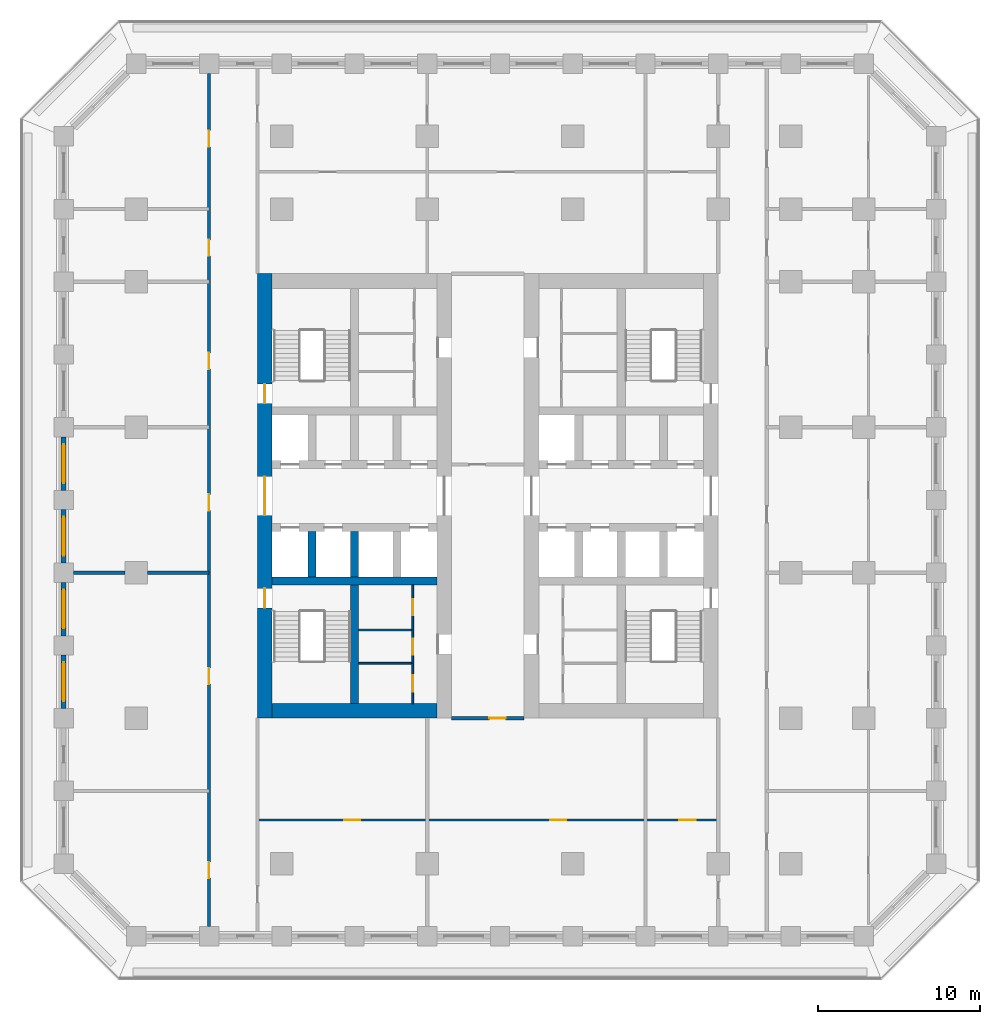
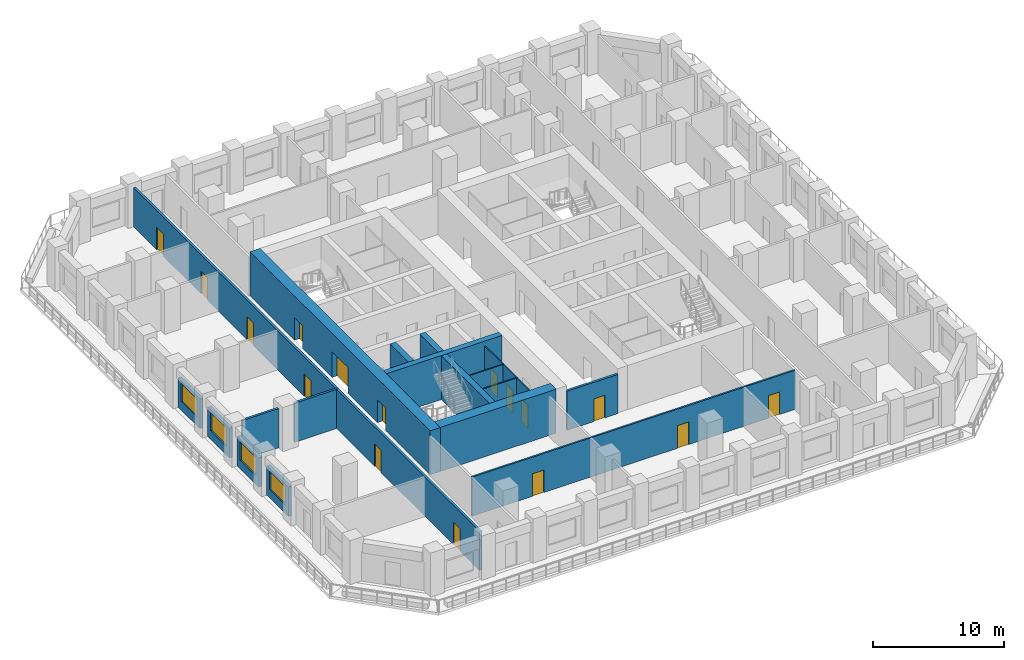
# One storey, part 3 of 17: 20 walls, 16 doors, 4 windows, 20 openings.
"""IFC4 building model written with IfcOpenShell, lengths in metres."""

from ifc_helpers import new_model, si_unit, direction, frame, frame_2d, origin, place, context, subcontext, project, spatial, rectangle, extrude, material, layer, layer_set, type_object, element, fill, save


model = new_model("IFC4")

# Units and contexts
model_context = context("Model", 3, precision=1e-05, world=origin(), true_north=direction((0.0, 1.0)))
body_context = subcontext(model_context, "Body", "Model", "MODEL_VIEW")
ifc_project = project(units=[si_unit("LENGTHUNIT", "METRE"), si_unit("AREAUNIT", "SQUARE_METRE"), si_unit("VOLUMEUNIT", "CUBIC_METRE"), si_unit("PLANEANGLEUNIT", "RADIAN"), si_unit("MASSUNIT", "GRAM", prefix="KILO")], contexts=[model_context])

# Site, building, storey
site_placement = place(None, origin())
site = spatial("IfcSite", under=ifc_project, at=site_placement, CompositionType="ELEMENT")
building_placement = place(site_placement, origin())
building = spatial("IfcBuilding", under=site, at=building_placement, Name="Corbel Stack Research Tower", CompositionType="ELEMENT")
storey_placement = place(building_placement, frame((0.0, 0.0, 94.300048828125)))
storey = spatial("IfcBuildingStorey", under=building, at=storey_placement, Name="L21", CompositionType="ELEMENT", Elevation=94.300048828125)

# Walls
ifc_material_1 = material(Name="Concrete C70/85", Category="concrete")
ifc_layer_1 = layer(ifc_material_1, 0.5)
ifc_layer_set_1 = layer_set([ifc_layer_1], Name="Concrete C70/85")
wall_type_1 = type_object("IfcWallType", Name="CW-500-70", PredefinedType="SHEAR", material=ifc_layer_set_1)
wall_1_placement = place(storey_placement, frame((-9.60009765625, -0.5, 0.0), z_axis=(0.0, 0.0, 1.0), x_axis=(1.0, 0.0, 0.0)))
element("IfcWall", 1, at=wall_1_placement, inside=storey, type_object=wall_type_1, Name="West core wall, south row back L21", PredefinedType="SHEAR", context=body_context, shape_type="SweptSolid", body=[
    extrude(rectangle(XDim=10.2001953125, YDim=0.5, at=frame_2d((5.10009765625, 0.0))), origin(), (0.0, 0.0, 1.0), 4.099853515625),
])
for number, where, z_axis, x_axis, name in (
    (2, (-7.125, -0.25, 0.0), (0.0, 0.0, 1.0), (0.0, 1.0, 0.0), "West core wall, south shaft 1 L21"),
    (3, (-4.5, -0.25, 0.0), (0.0, 0.0, 1.0), (0.0, 1.0, 0.0), "West core wall, south shaft 2 L21"),
):
    element("IfcWall", number, at=place(storey_placement, frame(where, z_axis=z_axis, x_axis=x_axis)), inside=storey, type_object=wall_type_1, Name=name, PredefinedType="SHEAR", context=body_context, shape_type="SweptSolid", body=[
        extrude(rectangle(XDim=2.800048828125, YDim=0.5, at=frame_2d((1.39990234375, 0.0))), origin(), (0.0, 0.0, 1.0), 4.099853515625),
    ])
wall_2_placement = place(storey_placement, frame((-4.5, -8.10009765625, 0.0), z_axis=(0.0, 0.0, 1.0), x_axis=(0.0, 1.0, 0.0)))
element("IfcWall", 4, at=wall_2_placement, inside=storey, type_object=wall_type_1, Name="West core wall, south stair and WC L21", PredefinedType="SHEAR", context=body_context, shape_type="SweptSolid", body=[
    extrude(rectangle(XDim=7.35009765625, YDim=0.5, at=frame_2d((3.675048828125, 0.0))), origin(), (0.0, 0.0, 1.0), 4.099853515625),
])

# Wall, openings, doors
ifc_material_2 = material(Name="Concrete C70/85", Category="concrete")
ifc_layer_2 = layer(ifc_material_2, 0.89990234375)
ifc_layer_set_2 = layer_set([ifc_layer_2], Name="Concrete C70/85")
wall_type_2 = type_object("IfcWallType", Name="CW-900-70", PredefinedType="SHEAR", material=ifc_layer_set_2)
wall_3_placement = place(storey_placement, frame((-10.050048828125, -9.0, 0.0), z_axis=(0.0, 0.0, 1.0), x_axis=(0.0, 1.0, 0.0)))
wall_3 = element("IfcWall", 5, at=wall_3_placement, inside=storey, type_object=wall_type_2, Name="West core wall, west face L21", PredefinedType="SHEAR", context=body_context, shape_type="SweptSolid", body=[
    extrude(rectangle(XDim=27.5, YDim=0.89990234375, at=frame_2d((13.75, 0.0))), origin(), (0.0, 0.0, 1.0), 4.099853515625),
])
opening_1_placement = place(wall_3_placement, frame((12.550048828125, 0.0, 0.0)))
opening_1 = element("IfcOpeningElement", 6, at=opening_1_placement, cuts=wall_3, Name="Opening CD-W-W", PredefinedType="OPENING", context=body_context, shape_type="SweptSolid", body=[
    extrude(rectangle(XDim=2.39990234375, YDim=2.39990234375, at=frame_2d((1.199951171875, 1.199951171875))), frame((0.0, 0.4599609375, 0.0), z_axis=(0.0, -1.0, 0.0), x_axis=(1.0, 0.0, 0.0)), (0.0, 0.0, 1.0), 0.919921875),
])
opening_2_placement = place(wall_3_placement, frame((6.824951171875, 0.0, 0.0)))
opening_2 = element("IfcOpeningElement", 7, at=opening_2_placement, cuts=wall_3, Name="Opening SD-ST-W1", PredefinedType="OPENING", context=body_context, shape_type="SweptSolid", body=[
    extrude(rectangle(XDim=1.199951171875, YDim=2.10009765625, at=frame_2d((0.60009765625, 1.050048828125))), frame((0.0, 0.4599609375, 0.0), z_axis=(0.0, -1.0, 0.0), x_axis=(1.0, 0.0, 0.0)), (0.0, 0.0, 1.0), 0.919921875),
])
opening_3_placement = place(wall_3_placement, frame((19.47509765625, 0.0, 0.0)))
opening_3 = element("IfcOpeningElement", 8, at=opening_3_placement, cuts=wall_3, Name="Opening SD-ST-W2", PredefinedType="OPENING", context=body_context, shape_type="SweptSolid", body=[
    extrude(rectangle(XDim=1.199951171875, YDim=2.10009765625, at=frame_2d((0.60009765625, 1.050048828125))), frame((0.0, 0.4599609375, 0.0), z_axis=(0.0, -1.0, 0.0), x_axis=(1.0, 0.0, 0.0)), (0.0, 0.0, 1.0), 0.919921875),
])
ifc_material_3 = material(Name="Painted steel fire door", Category="steel")
door_type_1 = type_object("IfcDoorType", Name="Lobby door pair 2400 x 2400 FD30S", OperationType="DOUBLE_DOOR_DOUBLE_SWING", PredefinedType="DOOR", material=ifc_material_3)
door_1_placement = place(opening_1_placement, origin())
door_1 = element("IfcDoor", 9, at=door_1_placement, inside=storey, type_object=door_type_1, Name="Lift lobby door W core W", OperationType="DOUBLE_DOOR_DOUBLE_SWING", OverallHeight=2.39990234375, OverallWidth=2.39990234375, PredefinedType="DOOR", context=body_context, shape_type="SweptSolid", body=[
    extrude(rectangle(XDim=2.39990234375, YDim=2.39990234375, at=frame_2d((1.199951171875, 1.199951171875))), frame((0.0, 0.02490234375, 0.0), z_axis=(0.0, -1.0, 0.0), x_axis=(1.0, 0.0, 0.0)), (0.0, 0.0, 1.0), 0.050048828125),
])
fill(opening_1, door_1)
ifc_material_4 = material(Name="Painted steel fire door", Category="steel")
door_type_2 = type_object("IfcDoorType", Name="Stair door 1200 x 2100 FD90 left hand", OperationType="SINGLE_SWING_LEFT", PredefinedType="DOOR", material=ifc_material_4)
door_2_placement = place(opening_2_placement, origin())
door_2 = element("IfcDoor", 10, at=door_2_placement, inside=storey, type_object=door_type_2, Name="Stair door ST-W1", OperationType="SINGLE_SWING_LEFT", OverallHeight=2.10009765625, OverallWidth=1.199951171875, PredefinedType="DOOR", context=body_context, shape_type="SweptSolid", body=[
    extrude(rectangle(XDim=1.199951171875, YDim=2.10009765625, at=frame_2d((0.60009765625, 1.050048828125))), frame((0.0, 0.02490234375, 0.0), z_axis=(0.0, -1.0, 0.0), x_axis=(1.0, 0.0, 0.0)), (0.0, 0.0, 1.0), 0.050048828125),
])
fill(opening_2, door_2)
door_3_placement = place(opening_3_placement, origin())
door_3 = element("IfcDoor", 11, at=door_3_placement, inside=storey, type_object=door_type_2, Name="Stair door ST-W2", OperationType="SINGLE_SWING_LEFT", OverallHeight=2.10009765625, OverallWidth=1.199951171875, PredefinedType="DOOR", context=body_context, shape_type="SweptSolid", body=[
    extrude(rectangle(XDim=1.199951171875, YDim=2.10009765625, at=frame_2d((0.60009765625, 1.050048828125))), frame((0.0, 0.02490234375, 0.0), z_axis=(0.0, -1.0, 0.0), x_axis=(1.0, 0.0, 0.0)), (0.0, 0.0, 1.0), 0.050048828125),
])
fill(opening_3, door_3)

# Wall
wall_4_placement = place(storey_placement, frame((-9.60009765625, -8.550048828125, 0.0), z_axis=(0.0, 0.0, 1.0), x_axis=(1.0, 0.0, 0.0)))
element("IfcWall", 12, at=wall_4_placement, inside=storey, type_object=wall_type_2, Name="West core wall, south end L21", PredefinedType="SHEAR", context=body_context, shape_type="SweptSolid", body=[
    extrude(rectangle(XDim=10.2001953125, YDim=0.89990234375, at=frame_2d((5.10009765625, 0.0))), origin(), (0.0, 0.0, 1.0), 4.099853515625),
])

# Wall, opening, door
ifc_material_5 = material(Name="Gypsum board")
ifc_layer_3 = layer(ifc_material_5, 0.10009765625)
ifc_layer_set_3 = layer_set([ifc_layer_3], Name="Gypsum board")
wall_type_3 = type_object("IfcWallType", Name="Core partition 100", PredefinedType="PARTITIONING", material=ifc_layer_set_3)
wall_5_placement = place(storey_placement, frame((-0.89990234375, -8.10009765625, 0.0), z_axis=(0.0, 0.0, 1.0), x_axis=(0.0, 1.0, 0.0)))
wall_5 = element("IfcWall", 13, at=wall_5_placement, inside=storey, type_object=wall_type_3, Name="Core partition W", PredefinedType="PARTITIONING", context=body_context, shape_type="SweptSolid", body=[
    extrude(rectangle(XDim=2.4990234375, YDim=0.10009765625, at=frame_2d((1.24951171875, 0.0))), origin(), (0.0, 0.0, 1.0), 3.64990234375),
])
opening_4_placement = place(wall_5_placement, frame((0.74951171875, 0.0, 0.0)))
opening_4 = element("IfcOpeningElement", 14, at=opening_4_placement, cuts=wall_5, Name="Opening CR-W12-W2-1000", PredefinedType="OPENING", context=body_context, shape_type="SweptSolid", body=[
    extrude(rectangle(XDim=1.0, YDim=2.10009765625, at=frame_2d((0.5, 1.050048828125))), frame((0.0, 0.06005859375, 0.0), z_axis=(0.0, -1.0, 0.0), x_axis=(1.0, 0.0, 0.0)), (0.0, 0.0, 1.0), 0.1201171875),
])
ifc_material_6 = material(Name="Painted timber door", Category="wood")
door_type_3 = type_object("IfcDoorType", Name="WC door 1000 x 2100 right hand", OperationType="SINGLE_SWING_RIGHT", PredefinedType="DOOR", material=ifc_material_6)
door_4_placement = place(opening_4_placement, origin())
door_4 = element("IfcDoor", 15, at=door_4_placement, inside=storey, type_object=door_type_3, Name="Men's WC door W core", OperationType="SINGLE_SWING_RIGHT", OverallHeight=2.10009765625, OverallWidth=1.0, PredefinedType="DOOR", context=body_context, shape_type="SweptSolid", body=[
    extrude(rectangle(XDim=1.0, YDim=2.10009765625, at=frame_2d((0.5, 1.050048828125))), frame((0.0, 0.02490234375, 0.0), z_axis=(0.0, -1.0, 0.0), x_axis=(1.0, 0.0, 0.0)), (0.0, 0.0, 1.0), 0.050048828125),
])
fill(opening_4, door_4)

wall_6_placement = place(storey_placement, frame((-0.89990234375, -5.60107421875, 0.0), z_axis=(0.0, 0.0, 1.0), x_axis=(0.0, 1.0, 0.0)))
wall_6 = element("IfcWall", 16, at=wall_6_placement, inside=storey, type_object=wall_type_3, Name="Core partition W", PredefinedType="PARTITIONING", context=body_context, shape_type="SweptSolid", body=[
    extrude(rectangle(XDim=2.05810546875, YDim=0.10009765625, at=frame_2d((1.029052734375, 0.0))), origin(), (0.0, 0.0, 1.0), 3.64990234375),
])
opening_5_placement = place(wall_6_placement, frame((0.529052734375, 0.0, 0.0)))
opening_5 = element("IfcOpeningElement", 17, at=opening_5_placement, cuts=wall_6, Name="Opening CR-W12-W3-1000", PredefinedType="OPENING", context=body_context, shape_type="SweptSolid", body=[
    extrude(rectangle(XDim=1.0, YDim=2.10009765625, at=frame_2d((0.5, 1.050048828125))), frame((0.0, 0.06005859375, 0.0), z_axis=(0.0, -1.0, 0.0), x_axis=(1.0, 0.0, 0.0)), (0.0, 0.0, 1.0), 0.1201171875),
])
ifc_material_7 = material(Name="Painted timber door", Category="wood")
door_type_4 = type_object("IfcDoorType", Name="WC door 1000 x 2100 left hand", OperationType="SINGLE_SWING_LEFT", PredefinedType="DOOR", material=ifc_material_7)
door_5_placement = place(opening_5_placement, origin())
door_5 = element("IfcDoor", 18, at=door_5_placement, inside=storey, type_object=door_type_4, Name="Accessible WC door W core", OperationType="SINGLE_SWING_LEFT", OverallHeight=2.10009765625, OverallWidth=1.0, PredefinedType="DOOR", context=body_context, shape_type="SweptSolid", body=[
    extrude(rectangle(XDim=1.0, YDim=2.10009765625, at=frame_2d((0.5, 1.050048828125))), frame((0.0, 0.02490234375, 0.0), z_axis=(0.0, -1.0, 0.0), x_axis=(1.0, 0.0, 0.0)), (0.0, 0.0, 1.0), 0.050048828125),
])
fill(opening_5, door_5)

wall_7_placement = place(storey_placement, frame((-0.89990234375, -3.54296875, 0.0), z_axis=(0.0, 0.0, 1.0), x_axis=(0.0, 1.0, 0.0)))
wall_7 = element("IfcWall", 19, at=wall_7_placement, inside=storey, type_object=wall_type_3, Name="Core partition W", PredefinedType="PARTITIONING", context=body_context, shape_type="SweptSolid", body=[
    extrude(rectangle(XDim=2.79296875, YDim=0.10009765625, at=frame_2d((1.396484375, 0.0))), origin(), (0.0, 0.0, 1.0), 3.64990234375),
])
opening_6_placement = place(wall_7_placement, frame((0.896484375, 0.0, 0.0)))
opening_6 = element("IfcOpeningElement", 20, at=opening_6_placement, cuts=wall_7, Name="Opening CR-W12-W4-1000", PredefinedType="OPENING", context=body_context, shape_type="SweptSolid", body=[
    extrude(rectangle(XDim=1.0, YDim=2.10009765625, at=frame_2d((0.5, 1.050048828125))), frame((0.0, 0.06005859375, 0.0), z_axis=(0.0, -1.0, 0.0), x_axis=(1.0, 0.0, 0.0)), (0.0, 0.0, 1.0), 0.1201171875),
])
door_6_placement = place(opening_6_placement, origin())
door_6 = element("IfcDoor", 21, at=door_6_placement, inside=storey, type_object=door_type_3, Name="Women's WC door W core", OperationType="SINGLE_SWING_RIGHT", OverallHeight=2.10009765625, OverallWidth=1.0, PredefinedType="DOOR", context=body_context, shape_type="SweptSolid", body=[
    extrude(rectangle(XDim=1.0, YDim=2.10009765625, at=frame_2d((0.5, 1.050048828125))), frame((0.0, 0.02490234375, 0.0), z_axis=(0.0, -1.0, 0.0), x_axis=(1.0, 0.0, 0.0)), (0.0, 0.0, 1.0), 0.050048828125),
])
fill(opening_6, door_6)

# Walls
for number, where, z_axis, x_axis, name in (
    (22, (-4.25, -5.60107421875, 0.0), (0.0, 0.0, 1.0), (1.0, 0.0, 0.0), "Core partition W"),
    (23, (-4.25, -3.54296875, 0.0), (0.0, 0.0, 1.0), (1.0, 0.0, 0.0), "Core partition W"),
):
    element("IfcWall", number, at=place(storey_placement, frame(where, z_axis=z_axis, x_axis=x_axis)), inside=storey, type_object=wall_type_3, Name=name, PredefinedType="PARTITIONING", context=body_context, shape_type="SweptSolid", body=[
        extrude(rectangle(XDim=3.35009765625, YDim=0.10009765625, at=frame_2d((1.675048828125, 0.0))), origin(), (0.0, 0.0, 1.0), 3.64990234375),
    ])

# Wall, openings, doors
ifc_material_8 = material(Name="Fire-rated gypsum board partition on steel studs", Category="steel")
ifc_layer_4 = layer(ifc_material_8, 0.199951171875)
ifc_layer_set_4 = layer_set([ifc_layer_4], Name="Fire-rated gypsum board partition on steel studs")
wall_type_4 = type_object("IfcWallType", Name="Fire-rated partition 200 EI 60", PredefinedType="PARTITIONING", material=ifc_layer_set_4)
wall_8_placement = place(storey_placement, frame((-13.5, -21.89990234375, 0.0), z_axis=(0.0, 0.0, 1.0), x_axis=(0.0, 1.0, 0.0)))
wall_8 = element("IfcWall", 24, at=wall_8_placement, inside=storey, type_object=wall_type_4, Name="Partition L21-001", PredefinedType="PARTITIONING", context=body_context, shape_type="SweptSolid", body=[
    extrude(rectangle(XDim=52.7998046875, YDim=0.199951171875, at=frame_2d((26.39990234375, 0.0))), origin(), (0.0, 0.0, 1.0), 3.64990234375),
])
opening_7_placement = place(wall_8_placement, frame((3.0, 0.0, 0.0)))
opening_7 = element("IfcOpeningElement", 25, at=opening_7_placement, cuts=wall_8, Name="Opening B3V1-004", PredefinedType="OPENING", context=body_context, shape_type="SweptSolid", body=[
    extrude(rectangle(XDim=1.0, YDim=2.10009765625, at=frame_2d((0.5, 1.050048828125))), frame((0.0, 0.10986328125, 0.0), z_axis=(0.0, -1.0, 0.0), x_axis=(1.0, 0.0, 0.0)), (0.0, 0.0, 1.0), 0.219970703125),
])
opening_8_placement = place(wall_8_placement, frame((15.0, 0.0, 0.0)))
opening_8 = element("IfcOpeningElement", 26, at=opening_8_placement, cuts=wall_8, Name="Opening B3V1-005", PredefinedType="OPENING", context=body_context, shape_type="SweptSolid", body=[
    extrude(rectangle(XDim=1.0, YDim=2.10009765625, at=frame_2d((0.5, 1.050048828125))), frame((0.0, 0.10986328125, 0.0), z_axis=(0.0, -1.0, 0.0), x_axis=(1.0, 0.0, 0.0)), (0.0, 0.0, 1.0), 0.219970703125),
])
opening_9_placement = place(wall_8_placement, frame((25.75, 0.0, 0.0)))
opening_9 = element("IfcOpeningElement", 27, at=opening_9_placement, cuts=wall_8, Name="Opening B3V1-006", PredefinedType="OPENING", context=body_context, shape_type="SweptSolid", body=[
    extrude(rectangle(XDim=1.0, YDim=2.10009765625, at=frame_2d((0.5, 1.050048828125))), frame((0.0, 0.10986328125, 0.0), z_axis=(0.0, -1.0, 0.0), x_axis=(1.0, 0.0, 0.0)), (0.0, 0.0, 1.0), 0.219970703125),
])
opening_10_placement = place(wall_8_placement, frame((34.5, 0.0, 0.0)))
opening_10 = element("IfcOpeningElement", 28, at=opening_10_placement, cuts=wall_8, Name="Opening B3V1-007", PredefinedType="OPENING", context=body_context, shape_type="SweptSolid", body=[
    extrude(rectangle(XDim=1.0, YDim=2.10009765625, at=frame_2d((0.5, 1.050048828125))), frame((0.0, 0.10986328125, 0.0), z_axis=(0.0, -1.0, 0.0), x_axis=(1.0, 0.0, 0.0)), (0.0, 0.0, 1.0), 0.219970703125),
])
opening_11_placement = place(wall_8_placement, frame((41.5, 0.0, 0.0)))
opening_11 = element("IfcOpeningElement", 29, at=opening_11_placement, cuts=wall_8, Name="Opening B3V1-008", PredefinedType="OPENING", context=body_context, shape_type="SweptSolid", body=[
    extrude(rectangle(XDim=1.0, YDim=2.10009765625, at=frame_2d((0.5, 1.050048828125))), frame((0.0, 0.10986328125, 0.0), z_axis=(0.0, -1.0, 0.0), x_axis=(1.0, 0.0, 0.0)), (0.0, 0.0, 1.0), 0.219970703125),
])
opening_12_placement = place(wall_8_placement, frame((48.25, 0.0, 0.0)))
opening_12 = element("IfcOpeningElement", 30, at=opening_12_placement, cuts=wall_8, Name="Opening B3V1-009", PredefinedType="OPENING", context=body_context, shape_type="SweptSolid", body=[
    extrude(rectangle(XDim=1.0, YDim=2.10009765625, at=frame_2d((0.5, 1.050048828125))), frame((0.0, 0.10986328125, 0.0), z_axis=(0.0, -1.0, 0.0), x_axis=(1.0, 0.0, 0.0)), (0.0, 0.0, 1.0), 0.219970703125),
])
ifc_material_9 = material(Name="Painted steel fire door", Category="steel")
door_type_5 = type_object("IfcDoorType", Name="Fire door FD30S 1000 x 2100", OperationType="NOTDEFINED", PredefinedType="DOOR", material=ifc_material_9)
door_7_placement = place(opening_7_placement, origin())
door_7 = element("IfcDoor", 31, at=door_7_placement, inside=storey, type_object=door_type_5, Name="Door B3V1-004", OperationType="SINGLE_SWING_LEFT", OverallHeight=2.10009765625, OverallWidth=1.0, PredefinedType="DOOR", context=body_context, shape_type="SweptSolid", body=[
    extrude(rectangle(XDim=1.0, YDim=2.10009765625, at=frame_2d((0.5, 1.050048828125))), frame((0.0, 0.02490234375, 0.0), z_axis=(0.0, -1.0, 0.0), x_axis=(1.0, 0.0, 0.0)), (0.0, 0.0, 1.0), 0.050048828125),
])
fill(opening_7, door_7)
door_8_placement = place(opening_8_placement, origin())
door_8 = element("IfcDoor", 32, at=door_8_placement, inside=storey, type_object=door_type_5, Name="Door B3V1-005", OperationType="SINGLE_SWING_LEFT", OverallHeight=2.10009765625, OverallWidth=1.0, PredefinedType="DOOR", context=body_context, shape_type="SweptSolid", body=[
    extrude(rectangle(XDim=1.0, YDim=2.10009765625, at=frame_2d((0.5, 1.050048828125))), frame((0.0, 0.02490234375, 0.0), z_axis=(0.0, -1.0, 0.0), x_axis=(1.0, 0.0, 0.0)), (0.0, 0.0, 1.0), 0.050048828125),
])
fill(opening_8, door_8)
door_9_placement = place(opening_9_placement, origin())
door_9 = element("IfcDoor", 33, at=door_9_placement, inside=storey, type_object=door_type_5, Name="Door B3V1-006", OperationType="SINGLE_SWING_LEFT", OverallHeight=2.10009765625, OverallWidth=1.0, PredefinedType="DOOR", context=body_context, shape_type="SweptSolid", body=[
    extrude(rectangle(XDim=1.0, YDim=2.10009765625, at=frame_2d((0.5, 1.050048828125))), frame((0.0, 0.02490234375, 0.0), z_axis=(0.0, -1.0, 0.0), x_axis=(1.0, 0.0, 0.0)), (0.0, 0.0, 1.0), 0.050048828125),
])
fill(opening_9, door_9)
door_10_placement = place(opening_10_placement, origin())
door_10 = element("IfcDoor", 34, at=door_10_placement, inside=storey, type_object=door_type_5, Name="Door B3V1-007", OperationType="SINGLE_SWING_RIGHT", OverallHeight=2.10009765625, OverallWidth=1.0, PredefinedType="DOOR", context=body_context, shape_type="SweptSolid", body=[
    extrude(rectangle(XDim=1.0, YDim=2.10009765625, at=frame_2d((0.5, 1.050048828125))), frame((0.0, 0.02490234375, 0.0), z_axis=(0.0, -1.0, 0.0), x_axis=(1.0, 0.0, 0.0)), (0.0, 0.0, 1.0), 0.050048828125),
])
fill(opening_10, door_10)
door_11_placement = place(opening_11_placement, origin())
door_11 = element("IfcDoor", 35, at=door_11_placement, inside=storey, type_object=door_type_5, Name="Door B3V1-008", OperationType="SINGLE_SWING_RIGHT", OverallHeight=2.10009765625, OverallWidth=1.0, PredefinedType="DOOR", context=body_context, shape_type="SweptSolid", body=[
    extrude(rectangle(XDim=1.0, YDim=2.10009765625, at=frame_2d((0.5, 1.050048828125))), frame((0.0, 0.02490234375, 0.0), z_axis=(0.0, -1.0, 0.0), x_axis=(1.0, 0.0, 0.0)), (0.0, 0.0, 1.0), 0.050048828125),
])
fill(opening_11, door_11)
door_12_placement = place(opening_12_placement, origin())
door_12 = element("IfcDoor", 36, at=door_12_placement, inside=storey, type_object=door_type_5, Name="Door B3V1-009", OperationType="SINGLE_SWING_RIGHT", OverallHeight=2.10009765625, OverallWidth=1.0, PredefinedType="DOOR", context=body_context, shape_type="SweptSolid", body=[
    extrude(rectangle(XDim=1.0, YDim=2.10009765625, at=frame_2d((0.5, 1.050048828125))), frame((0.0, 0.02490234375, 0.0), z_axis=(0.0, -1.0, 0.0), x_axis=(1.0, 0.0, 0.0)), (0.0, 0.0, 1.0), 0.050048828125),
])
fill(opening_12, door_12)

# Wall, opening, door
wall_9_placement = place(storey_placement, frame((6.0, -9.0, 0.0), z_axis=(0.0, 0.0, 1.0), x_axis=(-1.0, 0.0, 0.0)))
wall_9 = element("IfcWall", 37, at=wall_9_placement, inside=storey, type_object=wall_type_4, Name="Partition L21-026", PredefinedType="PARTITIONING", context=body_context, shape_type="SweptSolid", body=[
    extrude(rectangle(XDim=4.5, YDim=0.199951171875, at=frame_2d((2.25, 0.0))), origin(), (0.0, 0.0, 1.0), 3.64990234375),
])
opening_13_placement = place(wall_9_placement, frame((1.14990234375, 0.0, 0.0)))
opening_13 = element("IfcOpeningElement", 38, at=opening_13_placement, cuts=wall_9, Name="Opening B3V1-012", PredefinedType="OPENING", context=body_context, shape_type="SweptSolid", body=[
    extrude(rectangle(XDim=1.0, YDim=2.10009765625, at=frame_2d((0.5, 1.050048828125))), frame((0.0, 0.10986328125, 0.0), z_axis=(0.0, -1.0, 0.0), x_axis=(1.0, 0.0, 0.0)), (0.0, 0.0, 1.0), 0.219970703125),
])
door_13_placement = place(opening_13_placement, origin())
door_13 = element("IfcDoor", 39, at=door_13_placement, inside=storey, type_object=door_type_5, Name="Door B3V1-012", OperationType="SINGLE_SWING_LEFT", OverallHeight=2.10009765625, OverallWidth=1.0, PredefinedType="DOOR", context=body_context, shape_type="SweptSolid", body=[
    extrude(rectangle(XDim=1.0, YDim=2.10009765625, at=frame_2d((0.5, 1.050048828125))), frame((0.0, 0.02490234375, 0.0), z_axis=(0.0, -1.0, 0.0), x_axis=(1.0, 0.0, 0.0)), (0.0, 0.0, 1.0), 0.050048828125),
])
fill(opening_13, door_13)

# Walls
wall_10_placement = place(storey_placement, frame((-21.89990234375, 0.0, 0.0), z_axis=(0.0, 0.0, 1.0), x_axis=(1.0, 0.0, 0.0)))
element("IfcWall", 40, at=wall_10_placement, inside=storey, type_object=wall_type_4, Name="Partition L21-027", PredefinedType="PARTITIONING", context=body_context, shape_type="SweptSolid", body=[
    extrude(rectangle(XDim=3.199951171875, YDim=0.199951171875, at=frame_2d((1.60009765625, 0.0))), origin(), (0.0, 0.0, 1.0), 3.64990234375),
])
wall_11_placement = place(storey_placement, frame((-17.300048828125, 0.0, 0.0), z_axis=(0.0, 0.0, 1.0), x_axis=(1.0, 0.0, 0.0)))
element("IfcWall", 41, at=wall_11_placement, inside=storey, type_object=wall_type_4, Name="Partition L21-028", PredefinedType="PARTITIONING", context=body_context, shape_type="SweptSolid", body=[
    extrude(rectangle(XDim=3.800048828125, YDim=0.199951171875, at=frame_2d((1.89990234375, 0.0))), origin(), (0.0, 0.0, 1.0), 3.64990234375),
])

# Wall, openings, doors
ifc_material_10 = material(Name="Gypsum board partition on steel studs", Category="steel")
ifc_layer_5 = layer(ifc_material_10, 0.14990234375)
ifc_layer_set_5 = layer_set([ifc_layer_5], Name="Gypsum board partition on steel studs")
wall_type_5 = type_object("IfcWallType", Name="Partition 150", PredefinedType="PARTITIONING", material=ifc_layer_set_5)
wall_12_placement = place(storey_placement, frame((-10.5, -15.300048828125, 0.0), z_axis=(0.0, 0.0, 1.0), x_axis=(1.0, 0.0, 0.0)))
wall_12 = element("IfcWall", 42, at=wall_12_placement, inside=storey, type_object=wall_type_5, Name="Partition L21-023", PredefinedType="PARTITIONING", context=body_context, shape_type="SweptSolid", body=[
    extrude(rectangle(XDim=28.5, YDim=0.14990234375, at=frame_2d((14.25, 0.0))), origin(), (0.0, 0.0, 1.0), 3.64990234375),
])
opening_14_placement = place(wall_12_placement, frame((5.35009765625, 0.0, 0.0)))
opening_14 = element("IfcOpeningElement", 43, at=opening_14_placement, cuts=wall_12, Name="Opening B3V1-001", PredefinedType="OPENING", context=body_context, shape_type="SweptSolid", body=[
    extrude(rectangle(XDim=1.0, YDim=2.10009765625, at=frame_2d((0.5, 1.050048828125))), frame((0.0, 0.0849609375, 0.0), z_axis=(0.0, -1.0, 0.0), x_axis=(1.0, 0.0, 0.0)), (0.0, 0.0, 1.0), 0.169921875),
])
opening_15_placement = place(wall_12_placement, frame((18.10009765625, 0.0, 0.0)))
opening_15 = element("IfcOpeningElement", 44, at=opening_15_placement, cuts=wall_12, Name="Opening B3V1-002", PredefinedType="OPENING", context=body_context, shape_type="SweptSolid", body=[
    extrude(rectangle(XDim=1.0, YDim=2.10009765625, at=frame_2d((0.5, 1.050048828125))), frame((0.0, 0.0849609375, 0.0), z_axis=(0.0, -1.0, 0.0), x_axis=(1.0, 0.0, 0.0)), (0.0, 0.0, 1.0), 0.169921875),
])
opening_16_placement = place(wall_12_placement, frame((26.10009765625, 0.0, 0.0)))
opening_16 = element("IfcOpeningElement", 45, at=opening_16_placement, cuts=wall_12, Name="Opening B3V1-003", PredefinedType="OPENING", context=body_context, shape_type="SweptSolid", body=[
    extrude(rectangle(XDim=1.0, YDim=2.10009765625, at=frame_2d((0.5, 1.050048828125))), frame((0.0, 0.0849609375, 0.0), z_axis=(0.0, -1.0, 0.0), x_axis=(1.0, 0.0, 0.0)), (0.0, 0.0, 1.0), 0.169921875),
])
ifc_material_11 = material(Name="Painted timber door", Category="wood")
door_type_6 = type_object("IfcDoorType", Name="Single door 1000 x 2100", OperationType="NOTDEFINED", PredefinedType="DOOR", material=ifc_material_11)
door_14_placement = place(opening_14_placement, origin())
door_14 = element("IfcDoor", 46, at=door_14_placement, inside=storey, type_object=door_type_6, Name="Door B3V1-001", OperationType="SINGLE_SWING_LEFT", OverallHeight=2.10009765625, OverallWidth=1.0, PredefinedType="DOOR", context=body_context, shape_type="SweptSolid", body=[
    extrude(rectangle(XDim=1.0, YDim=2.10009765625, at=frame_2d((0.5, 1.050048828125))), frame((0.0, 0.02490234375, 0.0), z_axis=(0.0, -1.0, 0.0), x_axis=(1.0, 0.0, 0.0)), (0.0, 0.0, 1.0), 0.050048828125),
])
fill(opening_14, door_14)
door_15_placement = place(opening_15_placement, origin())
door_15 = element("IfcDoor", 47, at=door_15_placement, inside=storey, type_object=door_type_6, Name="Door B3V1-002", OperationType="SINGLE_SWING_RIGHT", OverallHeight=2.10009765625, OverallWidth=1.0, PredefinedType="DOOR", context=body_context, shape_type="SweptSolid", body=[
    extrude(rectangle(XDim=1.0, YDim=2.10009765625, at=frame_2d((0.5, 1.050048828125))), frame((0.0, 0.02490234375, 0.0), z_axis=(0.0, -1.0, 0.0), x_axis=(1.0, 0.0, 0.0)), (0.0, 0.0, 1.0), 0.050048828125),
])
fill(opening_15, door_15)
door_16_placement = place(opening_16_placement, origin())
door_16 = element("IfcDoor", 48, at=door_16_placement, inside=storey, type_object=door_type_6, Name="Door B3V1-003", OperationType="SINGLE_SWING_RIGHT", OverallHeight=2.10009765625, OverallWidth=1.0, PredefinedType="DOOR", context=body_context, shape_type="SweptSolid", body=[
    extrude(rectangle(XDim=1.0, YDim=2.10009765625, at=frame_2d((0.5, 1.050048828125))), frame((0.0, 0.02490234375, 0.0), z_axis=(0.0, -1.0, 0.0), x_axis=(1.0, 0.0, 0.0)), (0.0, 0.0, 1.0), 0.050048828125),
])
fill(opening_16, door_16)

# Wall, opening, window
ifc_material_12 = material(Name="Concrete C45/55", Category="concrete")
ifc_layer_6 = layer(ifc_material_12, 0.300048828125)
ifc_layer_set_6 = layer_set([ifc_layer_6], Name="Concrete C45/55")
wall_type_6 = type_object("IfcWallType", Name="Terracotta-faced concrete wall 300", PredefinedType="SOLIDWALL", material=ifc_layer_set_6)
wall_13_placement = place(storey_placement, frame((-22.5, 5.10009765625, 0.0), z_axis=(0.0, 0.0, 1.0), x_axis=(0.0, 1.0, 0.0)))
wall_13 = element("IfcWall", 49, at=wall_13_placement, inside=storey, type_object=wall_type_6, Name="Facade wall L21 W05", PredefinedType="SOLIDWALL", context=body_context, shape_type="SweptSolid", body=[
    extrude(rectangle(XDim=3.2998046875, YDim=0.300048828125, at=frame_2d((1.64990234375, 0.0))), origin(), (0.0, 0.0, 1.0), 2.75),
])
opening_17_placement = place(wall_13_placement, frame((0.449951171875, 0.0, 0.800048828125)))
opening_17 = element("IfcOpeningElement", 50, at=opening_17_placement, cuts=wall_13, Name="Opening W1", PredefinedType="OPENING", context=body_context, shape_type="SweptSolid", body=[
    extrude(rectangle(XDim=2.39990234375, YDim=1.699951171875, at=frame_2d((1.199951171875, 0.85009765625))), frame((0.0, 0.159912109375, 0.0), z_axis=(0.0, -1.0, 0.0), x_axis=(1.0, 0.0, 0.0)), (0.0, 0.0, 1.0), 0.320068359375),
])
ifc_material_13 = material(Name="Aluminium frame, clear double glazing", Category="aluminium")
window_type = type_object("IfcWindowType", Name="Window W1 2400 x 1700", PartitioningType="SINGLE_PANEL", PredefinedType="WINDOW", material=ifc_material_13)
window_1_placement = place(opening_17_placement, origin())
window_1 = element("IfcWindow", 51, at=window_1_placement, inside=storey, type_object=window_type, Name="Window W1 L21 W05", OverallHeight=1.699951171875, OverallWidth=2.39990234375, PartitioningType="SINGLE_PANEL", PredefinedType="WINDOW", context=body_context, shape_type="SweptSolid", body=[
    extrude(rectangle(XDim=2.39990234375, YDim=1.699951171875, at=frame_2d((1.199951171875, 0.85009765625))), frame((0.0, 0.030029296875, 0.0), z_axis=(0.0, -1.0, 0.0), x_axis=(1.0, 0.0, 0.0)), (0.0, 0.0, 1.0), 0.06005859375),
])
fill(opening_17, window_1)

wall_14_placement = place(storey_placement, frame((-22.5, 0.60009765625, 0.0), z_axis=(0.0, 0.0, 1.0), x_axis=(0.0, 1.0, 0.0)))
wall_14 = element("IfcWall", 52, at=wall_14_placement, inside=storey, type_object=wall_type_6, Name="Facade wall L21 W06", PredefinedType="SOLIDWALL", context=body_context, shape_type="SweptSolid", body=[
    extrude(rectangle(XDim=3.2998046875, YDim=0.300048828125, at=frame_2d((1.64990234375, 0.0))), origin(), (0.0, 0.0, 1.0), 2.75),
])
opening_18_placement = place(wall_14_placement, frame((0.449951171875, 0.0, 0.800048828125)))
opening_18 = element("IfcOpeningElement", 53, at=opening_18_placement, cuts=wall_14, Name="Opening W1", PredefinedType="OPENING", context=body_context, shape_type="SweptSolid", body=[
    extrude(rectangle(XDim=2.39990234375, YDim=1.699951171875, at=frame_2d((1.199951171875, 0.85009765625))), frame((0.0, 0.159912109375, 0.0), z_axis=(0.0, -1.0, 0.0), x_axis=(1.0, 0.0, 0.0)), (0.0, 0.0, 1.0), 0.320068359375),
])
window_2_placement = place(opening_18_placement, origin())
window_2 = element("IfcWindow", 54, at=window_2_placement, inside=storey, type_object=window_type, Name="Window W1 L21 W06", OverallHeight=1.699951171875, OverallWidth=2.39990234375, PartitioningType="SINGLE_PANEL", PredefinedType="WINDOW", context=body_context, shape_type="SweptSolid", body=[
    extrude(rectangle(XDim=2.39990234375, YDim=1.699951171875, at=frame_2d((1.199951171875, 0.85009765625))), frame((0.0, 0.030029296875, 0.0), z_axis=(0.0, -1.0, 0.0), x_axis=(1.0, 0.0, 0.0)), (0.0, 0.0, 1.0), 0.06005859375),
])
fill(opening_18, window_2)

wall_15_placement = place(storey_placement, frame((-22.5, -3.89990234375, 0.0), z_axis=(0.0, 0.0, 1.0), x_axis=(0.0, 1.0, 0.0)))
wall_15 = element("IfcWall", 55, at=wall_15_placement, inside=storey, type_object=wall_type_6, Name="Facade wall L21 W07", PredefinedType="SOLIDWALL", context=body_context, shape_type="SweptSolid", body=[
    extrude(rectangle(XDim=3.2998046875, YDim=0.300048828125, at=frame_2d((1.64990234375, 0.0))), origin(), (0.0, 0.0, 1.0), 2.75),
])
opening_19_placement = place(wall_15_placement, frame((0.449951171875, 0.0, 0.800048828125)))
opening_19 = element("IfcOpeningElement", 56, at=opening_19_placement, cuts=wall_15, Name="Opening W1", PredefinedType="OPENING", context=body_context, shape_type="SweptSolid", body=[
    extrude(rectangle(XDim=2.39990234375, YDim=1.699951171875, at=frame_2d((1.199951171875, 0.85009765625))), frame((0.0, 0.159912109375, 0.0), z_axis=(0.0, -1.0, 0.0), x_axis=(1.0, 0.0, 0.0)), (0.0, 0.0, 1.0), 0.320068359375),
])
window_3_placement = place(opening_19_placement, origin())
window_3 = element("IfcWindow", 57, at=window_3_placement, inside=storey, type_object=window_type, Name="Window W1 L21 W07", OverallHeight=1.699951171875, OverallWidth=2.39990234375, PartitioningType="SINGLE_PANEL", PredefinedType="WINDOW", context=body_context, shape_type="SweptSolid", body=[
    extrude(rectangle(XDim=2.39990234375, YDim=1.699951171875, at=frame_2d((1.199951171875, 0.85009765625))), frame((0.0, 0.030029296875, 0.0), z_axis=(0.0, -1.0, 0.0), x_axis=(1.0, 0.0, 0.0)), (0.0, 0.0, 1.0), 0.06005859375),
])
fill(opening_19, window_3)

wall_16_placement = place(storey_placement, frame((-22.5, -8.39990234375, 0.0), z_axis=(0.0, 0.0, 1.0), x_axis=(0.0, 1.0, 0.0)))
wall_16 = element("IfcWall", 58, at=wall_16_placement, inside=storey, type_object=wall_type_6, Name="Facade wall L21 W08", PredefinedType="SOLIDWALL", context=body_context, shape_type="SweptSolid", body=[
    extrude(rectangle(XDim=3.2998046875, YDim=0.300048828125, at=frame_2d((1.64990234375, 0.0))), origin(), (0.0, 0.0, 1.0), 2.75),
])
opening_20_placement = place(wall_16_placement, frame((0.449951171875, 0.0, 0.800048828125)))
opening_20 = element("IfcOpeningElement", 59, at=opening_20_placement, cuts=wall_16, Name="Opening W1", PredefinedType="OPENING", context=body_context, shape_type="SweptSolid", body=[
    extrude(rectangle(XDim=2.39990234375, YDim=1.699951171875, at=frame_2d((1.199951171875, 0.85009765625))), frame((0.0, 0.159912109375, 0.0), z_axis=(0.0, -1.0, 0.0), x_axis=(1.0, 0.0, 0.0)), (0.0, 0.0, 1.0), 0.320068359375),
])
window_4_placement = place(opening_20_placement, origin())
window_4 = element("IfcWindow", 60, at=window_4_placement, inside=storey, type_object=window_type, Name="Window W1 L21 W08", OverallHeight=1.699951171875, OverallWidth=2.39990234375, PartitioningType="SINGLE_PANEL", PredefinedType="WINDOW", context=body_context, shape_type="SweptSolid", body=[
    extrude(rectangle(XDim=2.39990234375, YDim=1.699951171875, at=frame_2d((1.199951171875, 0.85009765625))), frame((0.0, 0.030029296875, 0.0), z_axis=(0.0, -1.0, 0.0), x_axis=(1.0, 0.0, 0.0)), (0.0, 0.0, 1.0), 0.06005859375),
])
fill(opening_20, window_4)

save(model, "model.ifc")
